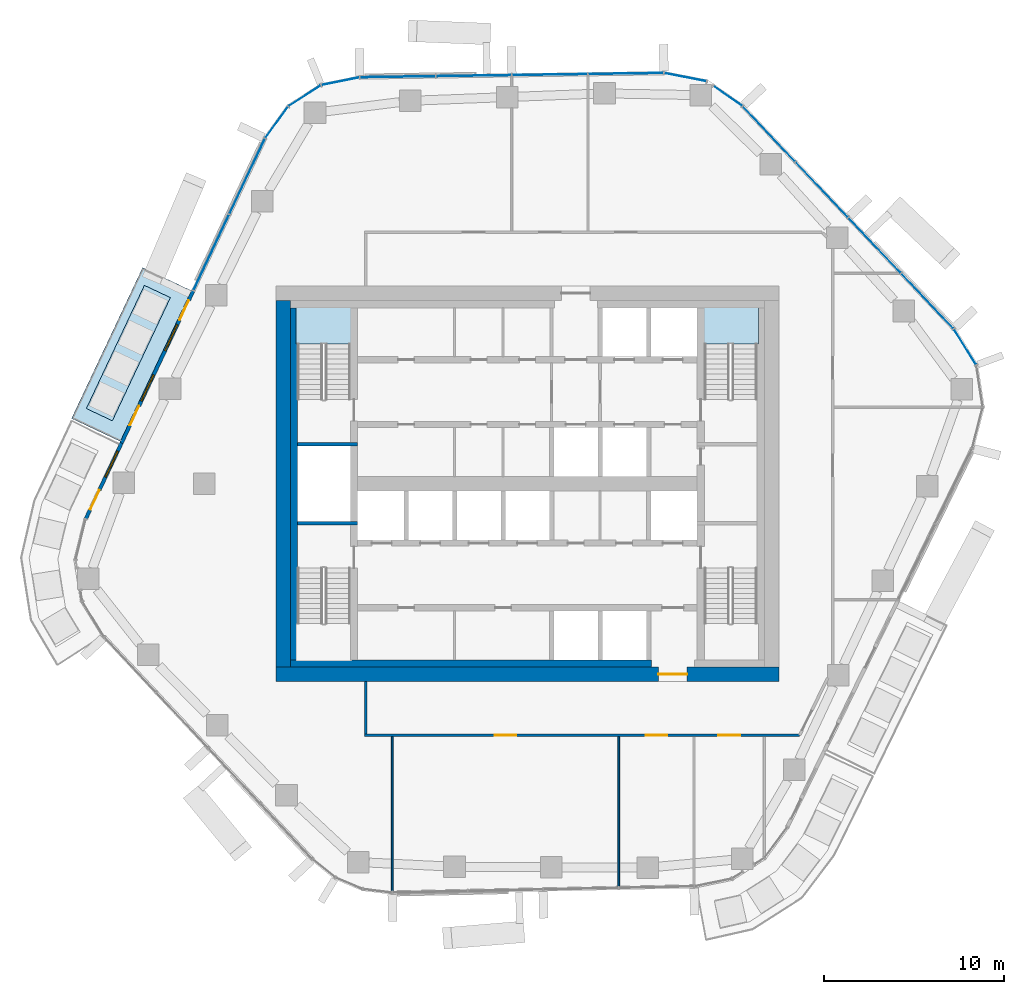
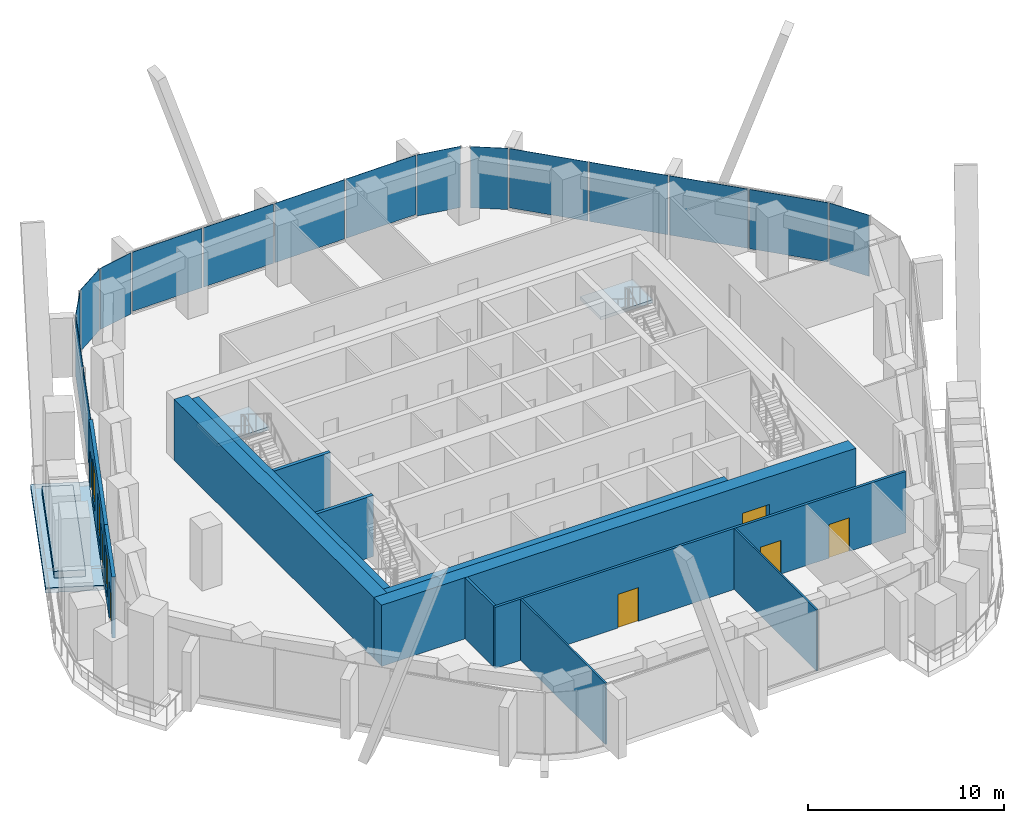
# One storey, part 10 of 18: 16 plates, 12 walls, 7 doors, 4 slabs, 3 windows, 10 openings, 9 elements without a shape of their own.
"""IFC4 building model written with IfcOpenShell, lengths in metres."""

import ifcopenshell
import ifcopenshell.guid

model = None  # the IFC model being written
_history = None  # IfcOwnerHistory: only IFC2X3 demands one
_inside = {}  # id of a spatial element -> (the spatial element, [elements in it])
_under = {}  # id of a project, library or spatial element -> (it, [spatial elements below it])
_declared = {}  # id of a project -> (the project, [libraries it declares])
_typed = {}  # id of a type object -> (the type object, [elements of that type])
_made_of = {}  # id of a material, layer set ... -> (it, [elements and type objects made of it])


def new_model(schema):
    """Start an empty IFC model of exactly this schema.

    Asked for "IFC4X3", IfcOpenShell would pick the latest addendum, in which some entities
    have other attributes; the version numbers below select the first issue.
    IFC2X3 requires an IfcOwnerHistory on every rooted entity: one is made here for all.
    """
    global model, _history
    if schema == "IFC4X3":
        model = ifcopenshell.file(schema_version=(4, 3, 0, 0))
    else:
        model = ifcopenshell.file(schema=schema)
    _inside.clear()
    _under.clear()
    _declared.clear()
    _typed.clear()
    _made_of.clear()
    _history = None
    if model.schema == "IFC2X3":
        org = make("IfcOrganization", Name="unknown")
        user = make(
            "IfcPersonAndOrganization",
            ThePerson=make("IfcPerson", FamilyName="unknown"),
            TheOrganization=org,
        )
        app = make(
            "IfcApplication",
            ApplicationDeveloper=org,
            Version="unknown",
            ApplicationFullName="unknown",
            ApplicationIdentifier="unknown",
        )
        _history = make(
            "IfcOwnerHistory",
            OwningUser=user,
            OwningApplication=app,
            ChangeAction="ADDED",
            CreationDate=0,
        )
    return model


def make(cls, **values):
    """One entity of the class cls with the attributes given. An attribute that is None is left unset."""
    return model.create_entity(
        cls, **{name: value for name, value in values.items() if value is not None}
    )


def rooted(cls, **values):
    """An entity with a GlobalId (a new one), such as an element, a storey or a relation."""
    return make(cls, GlobalId=ifcopenshell.guid.new(), OwnerHistory=_history, **values)


def si_unit(unit_type, name, prefix=None):
    """IfcSIUnit, for example si_unit("LENGTHUNIT", "METRE", prefix="MILLI")."""
    return make("IfcSIUnit", UnitType=unit_type, Prefix=prefix, Name=name)


def assignment(units):
    """IfcUnitAssignment: the units of a project."""
    return None if units is None else make("IfcUnitAssignment", Units=units)


def point(xyz):
    """IfcCartesianPoint."""
    return None if xyz is None else make("IfcCartesianPoint", Coordinates=xyz)


def direction(xyz):
    """IfcDirection."""
    return None if xyz is None else make("IfcDirection", DirectionRatios=xyz)


def frame(location, z_axis=None, x_axis=None):
    """IfcAxis2Placement3D, a coordinate frame: its origin and axes. An axis left out is left unset."""
    return make(
        "IfcAxis2Placement3D",
        Location=point(location),
        Axis=direction(z_axis),
        RefDirection=direction(x_axis),
    )


def frame_2d(location, x_axis=None):
    """IfcAxis2Placement2D, a coordinate frame in the plane: its origin and x axis."""
    return make(
        "IfcAxis2Placement2D", Location=point(location), RefDirection=direction(x_axis)
    )


def origin():
    """The frame at (0, 0, 0) with its axes left unset."""
    return frame((0.0, 0.0, 0.0))


def origin_2d():
    """The frame at (0, 0) in the plane with its x axis left unset."""
    return frame_2d((0.0, 0.0))


def place(relative_to, where):
    """IfcLocalPlacement: puts the frame where relative to a parent placement (None: the world)."""
    return make(
        "IfcLocalPlacement", PlacementRelTo=relative_to, RelativePlacement=where
    )


def context(
    kind, dimensions, precision=None, world=None, true_north=None, identifier=None
):
    """IfcGeometricRepresentationContext, for example the 3D "Model" context."""
    return make(
        "IfcGeometricRepresentationContext",
        ContextIdentifier=identifier,
        ContextType=kind,
        CoordinateSpaceDimension=dimensions,
        Precision=precision,
        WorldCoordinateSystem=world,
        TrueNorth=true_north,
    )


def subcontext(parent, identifier, kind, view, scale=None):
    """IfcGeometricRepresentationSubContext, for example "Body" below "Model"."""
    return make(
        "IfcGeometricRepresentationSubContext",
        ContextIdentifier=identifier,
        ContextType=kind,
        ParentContext=parent,
        TargetScale=scale,
        TargetView=view,
    )


def project(units=None, contexts=None):
    """IfcProject with its units and contexts."""
    return rooted(
        "IfcProject",
        Name="project",
        RepresentationContexts=contexts,
        UnitsInContext=assignment(units),
    )


def spatial(cls, under=None, at=None, **own):
    """A site, building, storey or space (cls), placed at a placement, below another one or the project."""
    s = rooted(cls, ObjectPlacement=at, **own)
    if under is not None:
        _under.setdefault(under.id(), (under, []))[1].append(s)
    return s


def polyline(points):
    """IfcPolyline through the points."""
    return make("IfcPolyline", Points=[point(p) for p in points])


def profile(cls, at=None, kind="AREA", **sizes):
    """A parametric profile (cls). Its sizes go by their IFC names, for example OverallWidth=200.0."""
    return make(cls, ProfileType=kind, Position=at, **sizes)


def rectangle(**sizes):
    """IfcRectangleProfileDef."""
    return profile("IfcRectangleProfileDef", **sizes)


def outline(outer, holes=None, kind="AREA"):
    """IfcArbitraryClosedProfileDef: a profile drawn as a closed curve; with holes, ...WithVoids."""
    if holes is None:
        return make("IfcArbitraryClosedProfileDef", ProfileType=kind, OuterCurve=outer)
    return make(
        "IfcArbitraryProfileDefWithVoids",
        ProfileType=kind,
        OuterCurve=outer,
        InnerCurves=holes,
    )


def extrude(swept, where, along, depth):
    """IfcExtrudedAreaSolid: the profile swept, set in the frame where, extruded along a direction by depth."""
    return make(
        "IfcExtrudedAreaSolid",
        SweptArea=swept,
        Position=where,
        ExtrudedDirection=direction(along),
        Depth=depth,
    )


def shape(context_of_items, identifier, shape_type, items):
    """IfcShapeRepresentation: the items that make up one representation, for example the "Body"."""
    return make(
        "IfcShapeRepresentation",
        ContextOfItems=context_of_items,
        RepresentationIdentifier=identifier,
        RepresentationType=shape_type,
        Items=items,
    )


def material(Name=None, Category=None):
    """IfcMaterial."""
    return make("IfcMaterial", Name=Name, Category=Category)


def layer(
    of_material, thickness, ventilated=None, Name=None, Category=None, Priority=None
):
    """IfcMaterialLayer: one layer of a wall or slab, of a material (None: an air gap)."""
    return make(
        "IfcMaterialLayer",
        Material=of_material,
        LayerThickness=thickness,
        IsVentilated=ventilated,
        Name=Name,
        Category=Category,
        Priority=Priority,
    )


def layer_set(layers, Name=None):
    """IfcMaterialLayerSet."""
    return make("IfcMaterialLayerSet", MaterialLayers=layers, LayerSetName=Name)


def made_of(thing, what):
    """Note that an element or type object is made of a material, layer set ...; save() writes the relation."""
    if what is not None:
        _made_of.setdefault(what.id(), (what, []))[1].append(thing)
    return thing


def type_object(cls, material=None, **own):
    """A type object (cls), such as IfcWallType, which elements share."""
    return made_of(rooted(cls, **own), material)


def element(
    cls,
    number,
    at=None,
    inside=None,
    cuts=None,
    type_object=None,
    material=None,
    context=None,
    identifier="Body",
    shape_type=None,
    held_by="IfcProductDefinitionShape",
    body=None,
    shapes=None,
    **own,
):
    """One element of the class cls, such as IfcWall. Its Tag is "e" and its number.

    at: its placement. inside: the storey or other place that contains it. cuts: it is an
    opening in that element (IfcRelVoidsElement). A single representation is given by context,
    identifier, shape_type and body (its items); several are given by shapes. held_by: the class
    of the entity that holds the representations. save() writes the other relations.
    """
    e = rooted(cls, Tag="e%d" % number, ObjectPlacement=at, **own)
    if body is not None:
        shapes = [shape(context, identifier, shape_type, body)]
    if shapes is not None:
        e.Representation = make(held_by, Representations=shapes)
    if inside is not None:
        _inside.setdefault(inside.id(), (inside, []))[1].append(e)
    if cuts is not None:
        rooted(
            "IfcRelVoidsElement", RelatingBuildingElement=cuts, RelatedOpeningElement=e
        )
    if type_object is not None:
        _typed.setdefault(type_object.id(), (type_object, []))[1].append(e)
    return made_of(e, material)


def fill(opening, filler):
    """IfcRelFillsElement: the door or window that sits in an opening."""
    return rooted(
        "IfcRelFillsElement",
        RelatingOpeningElement=opening,
        RelatedBuildingElement=filler,
    )


def aggregate(whole, parts):
    """IfcRelAggregates: a whole, such as a stair, and the parts it consists of."""
    return rooted("IfcRelAggregates", RelatingObject=whole, RelatedObjects=parts)


def save(model, path):
    """Write the relations noted so far, then the file.

    IfcRelAggregates (storeys below a building ...), IfcRelContainedInSpatialStructure (elements
    in a storey), IfcRelDefinesByType, IfcRelAssociatesMaterial and IfcRelDeclares: one each for
    every whole, place, type object, material and project.
    """
    for whole, parts in _under.values():
        aggregate(whole, parts)
    for where, things in _inside.values():
        rooted(
            "IfcRelContainedInSpatialStructure",
            RelatedElements=things,
            RelatingStructure=where,
        )
    for kind, things in _typed.values():
        rooted("IfcRelDefinesByType", RelatedObjects=things, RelatingType=kind)
    for what, things in _made_of.values():
        rooted("IfcRelAssociatesMaterial", RelatedObjects=things, RelatingMaterial=what)
    for by, libraries in _declared.values():
        rooted("IfcRelDeclares", RelatingContext=by, RelatedDefinitions=libraries)
    model.write(path)


model = new_model("IFC4")

# Units and contexts
model_context = context("Model", 3, precision=1e-05, world=origin(), true_north=direction((0.0, 1.0)))
body_context = subcontext(model_context, "Body", "Model", "MODEL_VIEW")
ifc_project = project(units=[si_unit("LENGTHUNIT", "METRE"), si_unit("AREAUNIT", "SQUARE_METRE"), si_unit("VOLUMEUNIT", "CUBIC_METRE"), si_unit("PLANEANGLEUNIT", "RADIAN"), si_unit("MASSUNIT", "GRAM", prefix="KILO")], contexts=[model_context])

# Site, building, storey
site_placement = place(None, origin())
site = spatial("IfcSite", under=ifc_project, at=site_placement, CompositionType="ELEMENT")
building_placement = place(site_placement, origin())
building = spatial("IfcBuilding", under=site, at=building_placement, Name="Dongbaek Canopy Tower", CompositionType="ELEMENT")
storey_placement = place(building_placement, frame((0.0, 0.0, 167.0)))
storey = spatial("IfcBuildingStorey", under=building, at=storey_placement, Name="L36", CompositionType="ELEMENT", Elevation=167.0)

# Slab
ifc_material_1 = material(Name="Concrete C40/50", Category="concrete")
ifc_layer_1 = layer(ifc_material_1, 0.300048828125)
ifc_layer_set_1 = layer_set([ifc_layer_1], Name="Balcony slab 300")
slab_type_1 = type_object("IfcSlabType", Name="Balcony slab 300", PredefinedType="FLOOR", material=ifc_layer_set_1)
slab_1_placement = place(storey_placement, frame((0.0, 0.0, -0.300048828125)))
element("IfcSlab", 1, at=slab_1_placement, inside=storey, type_object=slab_type_1, Name="Balcony L36 1", PredefinedType="FLOOR", context=body_context, shape_type="SweptSolid", body=[
    extrude(outline(polyline([(-18.70703125, 10.754638671875), (-22.66259765625, 2.359130859375), (-25.37646484375, 3.6376953125), (-21.4208984375, 12.033203125), (-18.70703125, 10.754638671875)])), origin(), (0.0, 0.0, 1.0), 0.300048828125),
])

# Curtain wall, plate
ifc_material_2 = material(Name="Aluminium 6063-T6 pale anodised", Category="aluminium")
ifc_layer_2 = layer(ifc_material_2, 0.199951171875)
ifc_layer_set_2 = layer_set([ifc_layer_2], Name="CW-1 unitised tower curtain wall")
curtain_wall_type = type_object("IfcCurtainWallType", Name="CW-1 unitised tower curtain wall", PredefinedType="NOTDEFINED", material=ifc_layer_set_2)
curtain_wall_1_placement = place(storey_placement, origin())
curtain_wall_1 = element("IfcCurtainWall", 2, at=curtain_wall_1_placement, inside=storey, type_object=curtain_wall_type, Name="CW-1 curtain wall K0.1", PredefinedType="NOTDEFINED")
ifc_material_3 = material(Name="Clear laminated glass", Category="glass")
ifc_layer_3 = layer(ifc_material_3, 0.028076171875)
ifc_layer_set_3 = layer_set([ifc_layer_3], Name="CW-1 glazed panel 28")
plate_type = type_object("IfcPlateType", Name="CW-1 glazed panel 28", PredefinedType="CURTAIN_PANEL", material=ifc_layer_set_3)
plate_1_placement = place(storey_placement, frame((24.366455078125, 7.6201171875, 0.0), z_axis=(0.0, 0.0, 1.0), x_axis=(-0.528334947063, 0.849036032046, 0.0)))
plate_1 = element("IfcPlate", 3, at=plate_1_placement, type_object=plate_type, Name="CW-1 panel K0.1.3.1", PredefinedType="CURTAIN_PANEL", context=body_context, shape_type="SweptSolid", body=[
    extrude(rectangle(XDim=2.294677734375, YDim=0.028076171875, at=origin_2d()), origin(), (0.0, 0.0, 1.0), 3.820068359375),
])
aggregate(curtain_wall_1, [plate_1])

# Curtain wall, plates
curtain_wall_2_placement = place(storey_placement, origin())
curtain_wall_2 = element("IfcCurtainWall", 4, at=curtain_wall_2_placement, inside=storey, type_object=curtain_wall_type, Name="CW-1 curtain wall F0.1", PredefinedType="NOTDEFINED")
plate_2_placement = place(storey_placement, frame((22.27099609375, 10.17724609375, 0.1201171875), z_axis=(0.0, 0.0, 1.0), x_axis=(-0.688042693519, 0.725670208769, 0.0)))
plate_2 = element("IfcPlate", 5, at=plate_2_placement, type_object=plate_type, Name="CW-1 panel F0.1.1.1", PredefinedType="CURTAIN_PANEL", context=body_context, shape_type="SweptSolid", body=[
    extrude(rectangle(XDim=4.180419921875, YDim=0.028076171875, at=origin_2d()), origin(), (0.0, 0.0, 1.0), 3.699951171875),
])
plate_3_placement = place(storey_placement, frame((19.33349609375, 13.275390625, 0.1201171875), z_axis=(0.0, 0.0, 1.0), x_axis=(-0.688042693519, 0.725670208769, 0.0)))
plate_3 = element("IfcPlate", 6, at=plate_3_placement, type_object=plate_type, Name="CW-1 panel F0.1.2.1", PredefinedType="CURTAIN_PANEL", context=body_context, shape_type="SweptSolid", body=[
    extrude(rectangle(XDim=4.1904296875, YDim=0.028076171875, at=origin_2d()), origin(), (0.0, 0.0, 1.0), 3.699951171875),
])
plate_4_placement = place(storey_placement, frame((16.392333984375, 16.37744140625, 0.1201171875), z_axis=(0.0, 0.0, 1.0), x_axis=(-0.688042693519, 0.725670208769, 0.0)))
plate_4 = element("IfcPlate", 7, at=plate_4_placement, type_object=plate_type, Name="CW-1 panel F0.1.3.1", PredefinedType="CURTAIN_PANEL", context=body_context, shape_type="SweptSolid", body=[
    extrude(rectangle(XDim=4.1904296875, YDim=0.028076171875, at=origin_2d()), origin(), (0.0, 0.0, 1.0), 3.699951171875),
])
plate_5_placement = place(storey_placement, frame((13.454833984375, 19.475341796875, 0.1201171875), z_axis=(0.0, 0.0, 1.0), x_axis=(-0.688042693519, 0.725670208769, 0.0)))
plate_5 = element("IfcPlate", 8, at=plate_5_placement, type_object=plate_type, Name="CW-1 panel F0.1.4.1", PredefinedType="CURTAIN_PANEL", context=body_context, shape_type="SweptSolid", body=[
    extrude(rectangle(XDim=4.18017578125, YDim=0.028076171875, at=origin_2d()), origin(), (0.0, 0.0, 1.0), 3.699951171875),
])
aggregate(curtain_wall_2, [plate_2, plate_3, plate_4, plate_5])

# Curtain wall, plate
curtain_wall_3_placement = place(storey_placement, origin())
curtain_wall_3 = element("IfcCurtainWall", 9, at=curtain_wall_3_placement, inside=storey, type_object=curtain_wall_type, Name="CW-1 curtain wall K1.1a", PredefinedType="NOTDEFINED")
plate_6_placement = place(storey_placement, frame((11.1640625, 21.593017578125, 0.0), z_axis=(0.0, 0.0, 1.0), x_axis=(-0.822253738836, 0.569121067059, 0.0)))
plate_6 = element("IfcPlate", 10, at=plate_6_placement, type_object=plate_type, Name="CW-1 panel K1.1a.1.1", PredefinedType="CURTAIN_PANEL", context=body_context, shape_type="SweptSolid", body=[
    extrude(rectangle(XDim=1.920166015625, YDim=0.028076171875, at=origin_2d()), origin(), (0.0, 0.0, 1.0), 3.820068359375),
])
aggregate(curtain_wall_3, [plate_6])

curtain_wall_4_placement = place(storey_placement, origin())
curtain_wall_4 = element("IfcCurtainWall", 11, at=curtain_wall_4_placement, inside=storey, type_object=curtain_wall_type, Name="CW-1 curtain wall K1.1b", PredefinedType="NOTDEFINED")
plate_7_placement = place(storey_placement, frame((8.79736328125, 22.6376953125, 0.0), z_axis=(0.0, 0.0, 1.0), x_axis=(-0.981568479338, 0.1911107542, 0.0)))
plate_7 = element("IfcPlate", 12, at=plate_7_placement, type_object=plate_type, Name="CW-1 panel K1.1b.1.1", PredefinedType="CURTAIN_PANEL", context=body_context, shape_type="SweptSolid", body=[
    extrude(rectangle(XDim=2.345947265625, YDim=0.028076171875, at=origin_2d()), origin(), (0.0, 0.0, 1.0), 3.820068359375),
])
aggregate(curtain_wall_4, [plate_7])

# Curtain wall, plates
curtain_wall_5_placement = place(storey_placement, origin())
curtain_wall_5 = element("IfcCurtainWall", 13, at=curtain_wall_5_placement, inside=storey, type_object=curtain_wall_type, Name="CW-1 curtain wall F1.1", PredefinedType="NOTDEFINED")
plate_8_placement = place(storey_placement, frame((5.489990234375, 22.83984375, 0.1201171875), z_axis=(0.0, 0.0, 1.0), x_axis=(-0.999898073754, -0.014277328293, 0.0)))
plate_8 = element("IfcPlate", 14, at=plate_8_placement, type_object=plate_type, Name="CW-1 panel F1.1.1.1", PredefinedType="CURTAIN_PANEL", context=body_context, shape_type="SweptSolid", body=[
    extrude(rectangle(XDim=4.14599609375, YDim=0.028076171875, at=origin_2d()), origin(), (0.0, 0.0, 1.0), 3.699951171875),
])
plate_9_placement = place(storey_placement, frame((1.25537109375, 22.779296875, 0.1201171875), z_axis=(0.0, 0.0, 1.0), x_axis=(-0.999898073754, -0.014277328293, 0.0)))
plate_9 = element("IfcPlate", 15, at=plate_9_placement, type_object=plate_type, Name="CW-1 panel F1.1.2.1", PredefinedType="CURTAIN_PANEL", context=body_context, shape_type="SweptSolid", body=[
    extrude(rectangle(XDim=4.15625, YDim=0.028076171875, at=origin_2d()), origin(), (0.0, 0.0, 1.0), 3.699951171875),
])
plate_10_placement = place(storey_placement, frame((-2.984375, 22.71875, 0.1201171875), z_axis=(0.0, 0.0, 1.0), x_axis=(-0.999898073754, -0.014277328293, 0.0)))
plate_10 = element("IfcPlate", 16, at=plate_10_placement, type_object=plate_type, Name="CW-1 panel F1.1.3.1", PredefinedType="CURTAIN_PANEL", context=body_context, shape_type="SweptSolid", body=[
    extrude(rectangle(XDim=4.15625, YDim=0.028076171875, at=origin_2d()), origin(), (0.0, 0.0, 1.0), 3.699951171875),
])
plate_11_placement = place(storey_placement, frame((-7.219482421875, 22.658203125, 0.1201171875), z_axis=(0.0, 0.0, 1.0), x_axis=(-0.999898073754, -0.014277328293, 0.0)))
plate_11 = element("IfcPlate", 17, at=plate_11_placement, type_object=plate_type, Name="CW-1 panel F1.1.4.1", PredefinedType="CURTAIN_PANEL", context=body_context, shape_type="SweptSolid", body=[
    extrude(rectangle(XDim=4.14697265625, YDim=0.028076171875, at=origin_2d()), origin(), (0.0, 0.0, 1.0), 3.699951171875),
])
aggregate(curtain_wall_5, [plate_8, plate_9, plate_10, plate_11])

curtain_wall_6_placement = place(storey_placement, origin())
curtain_wall_6 = element("IfcCurtainWall", 18, at=curtain_wall_6_placement, inside=storey, type_object=curtain_wall_type, Name="CW-1 curtain wall K2.1", PredefinedType="NOTDEFINED")
plate_12_placement = place(storey_placement, frame((-10.40869140625, 22.41015625, 0.0), z_axis=(0.0, 0.0, 1.0), x_axis=(-0.980003955076, -0.198978008926, 0.0)))
plate_12 = element("IfcPlate", 19, at=plate_12_placement, type_object=plate_type, Name="CW-1 panel K2.1.1.1", PredefinedType="CURTAIN_PANEL", context=body_context, shape_type="SweptSolid", body=[
    extrude(rectangle(XDim=2.107421875, YDim=0.028076171875, at=origin_2d()), origin(), (0.0, 0.0, 1.0), 3.820068359375),
])
plate_13_placement = place(storey_placement, frame((-12.3994140625, 21.60107421875, 0.0), z_axis=(0.0, 0.0, 1.0), x_axis=(-0.840609245459, -0.541642037188, 0.0)))
plate_13 = element("IfcPlate", 20, at=plate_13_placement, type_object=plate_type, Name="CW-1 panel K2.1.2.1", PredefinedType="CURTAIN_PANEL", context=body_context, shape_type="SweptSolid", body=[
    extrude(rectangle(XDim=2.097900390625, YDim=0.028076171875, at=origin_2d()), origin(), (0.0, 0.0, 1.0), 3.820068359375),
])
plate_14_placement = place(storey_placement, frame((-13.958984375, 20.12255859375, 0.0), z_axis=(0.0, 0.0, 1.0), x_axis=(-0.586177562972, -0.810182611927, 0.0)))
plate_14 = element("IfcPlate", 21, at=plate_14_placement, type_object=plate_type, Name="CW-1 panel K2.1.3.1", PredefinedType="CURTAIN_PANEL", context=body_context, shape_type="SweptSolid", body=[
    extrude(rectangle(XDim=2.107421875, YDim=0.028076171875, at=origin_2d()), origin(), (0.0, 0.0, 1.0), 3.820068359375),
])
aggregate(curtain_wall_6, [plate_12, plate_13, plate_14])

curtain_wall_7_placement = place(storey_placement, origin())
curtain_wall_7 = element("IfcCurtainWall", 22, at=curtain_wall_7_placement, inside=storey, type_object=curtain_wall_type, Name="CW-1 curtain wall F2.1", PredefinedType="NOTDEFINED")
plate_15_placement = place(storey_placement, frame((-15.5986328125, 17.117431640625, 0.1201171875), z_axis=(0.0, 0.0, 1.0), x_axis=(-0.426206887126, -0.904625717834, 0.0)))
plate_15 = element("IfcPlate", 23, at=plate_15_placement, type_object=plate_type, Name="CW-1 panel F2.1.1.1", PredefinedType="CURTAIN_PANEL", context=body_context, shape_type="SweptSolid", body=[
    extrude(rectangle(XDim=4.596923828125, YDim=0.028076171875, at=origin_2d()), origin(), (0.0, 0.0, 1.0), 3.699951171875),
])
plate_16_placement = place(storey_placement, frame((-17.595703125, 12.878662109375, 0.1201171875), z_axis=(0.0, 0.0, 1.0), x_axis=(-0.426206887126, -0.904625717834, 0.0)))
plate_16 = element("IfcPlate", 24, at=plate_16_placement, type_object=plate_type, Name="CW-1 panel F2.1.2.1", PredefinedType="CURTAIN_PANEL", context=body_context, shape_type="SweptSolid", body=[
    extrude(rectangle(XDim=4.606201171875, YDim=0.028076171875, at=origin_2d()), origin(), (0.0, 0.0, 1.0), 3.699951171875),
])
aggregate(curtain_wall_7, [plate_15, plate_16])

# Stair, slab
ifc_material_4 = material(Name="Concrete C40/50", Category="concrete")
stair_type = type_object("IfcStairType", Name="Core exit stair", PredefinedType="HALF_TURN_STAIR", material=ifc_material_4)
stair_1_placement = place(storey_placement, origin())
stair_1 = element("IfcStair", 25, at=stair_1_placement, inside=storey, type_object=stair_type, Name="L36 exit stair A", PredefinedType="HALF_TURN_STAIR")
ifc_material_5 = material(Name="Concrete C40/50", Category="concrete")
ifc_layer_4 = layer(ifc_material_5, 0.199951171875)
ifc_layer_set_4 = layer_set([ifc_layer_4], Name="Core stair landing 200")
slab_type_2 = type_object("IfcSlabType", Name="Core stair landing 200", PredefinedType="LANDING", material=ifc_layer_set_4)
slab_2_placement = place(storey_placement, frame((0.0, 0.0, 1.89990234375)))
slab_2 = element("IfcSlab", 26, at=slab_2_placement, type_object=slab_type_2, Name="ST-A landing 1", PredefinedType="LANDING", context=body_context, shape_type="SweptSolid", body=[
    extrude(outline(polyline([(12.875, 7.780029296875), (12.875, 9.875), (9.77490234375, 9.875), (9.77490234375, 7.780029296875), (12.875, 7.780029296875)])), origin(), (0.0, 0.0, 1.0), 0.2001953125),
])
aggregate(stair_1, [slab_2])

stair_2_placement = place(storey_placement, origin())
stair_2 = element("IfcStair", 27, at=stair_2_placement, inside=storey, type_object=stair_type, Name="L36 exit stair C", PredefinedType="HALF_TURN_STAIR")
slab_3_placement = place(storey_placement, frame((0.0, 0.0, 1.89990234375)))
slab_3 = element("IfcSlab", 28, at=slab_3_placement, type_object=slab_type_2, Name="ST-C landing 1", PredefinedType="LANDING", context=body_context, shape_type="SweptSolid", body=[
    extrude(outline(polyline([(-9.77490234375, 7.780029296875), (-9.77490234375, 9.875), (-12.875, 9.875), (-12.875, 7.780029296875), (-9.77490234375, 7.780029296875)])), origin(), (0.0, 0.0, 1.0), 0.2001953125),
])
aggregate(stair_2, [slab_3])

# Slab
ifc_material_6 = material(Name="Reinforced concrete C40/50 planter box with soil", Category="concrete")
ifc_layer_5 = layer(ifc_material_6, 0.419921875)
ifc_layer_set_5 = layer_set([ifc_layer_5], Name="Terrace planter box 1600 x 420")
slab_type_3 = type_object("IfcSlabType", Name="Terrace planter box 1600 x 420", PredefinedType="USERDEFINED", material=ifc_layer_set_5)
slab_4_placement = place(storey_placement, origin())
element("IfcSlab", 29, at=slab_4_placement, inside=storey, type_object=slab_type_3, Name="Balcony planter L36 1", ObjectType="PLANTER", PredefinedType="USERDEFINED", context=body_context, shape_type="SweptSolid", body=[
    extrude(outline(polyline([(-19.87451171875, 10.364990234375), (-23.105224609375, 3.50732421875), (-24.552734375, 4.189208984375), (-21.32177734375, 11.046875), (-19.87451171875, 10.364990234375)])), origin(), (0.0, 0.0, 1.0), 0.419921875),
])

# Wall, opening, door
ifc_material_7 = material(Name="Concrete C70/85", Category="concrete")
ifc_layer_6 = layer(ifc_material_7, 0.800048828125)
ifc_layer_set_6 = layer_set([ifc_layer_6], Name="Core outer wall 800 Concrete C70/85")
wall_type_1 = type_object("IfcWallType", Name="Core outer wall 800 Concrete C70/85", PredefinedType="SHEAR", material=ifc_layer_set_6)
wall_1_placement = place(storey_placement, frame((14.0, -10.60009765625, 0.0), z_axis=(0.0, 0.0, 1.0), x_axis=(-1.0, 0.0, 0.0)))
wall_1 = element("IfcWall", 30, at=wall_1_placement, inside=storey, type_object=wall_type_1, Name="Core wall", PredefinedType="SHEAR", context=body_context, shape_type="SweptSolid", body=[
    extrude(rectangle(XDim=28.0, YDim=0.800048828125, at=frame_2d((14.0, 0.0))), origin(), (0.0, 0.0, 1.0), 3.820068359375),
])
opening_1_placement = place(wall_1_placement, frame((5.10009765625, 0.0, 0.0)))
opening_1 = element("IfcOpeningElement", 31, at=opening_1_placement, cuts=wall_1, Name="Opening L36-D023", PredefinedType="OPENING", context=body_context, shape_type="SweptSolid", body=[
    extrude(rectangle(XDim=1.60009765625, YDim=2.10009765625, at=frame_2d((0.800048828125, 1.050048828125))), frame((0.0, 0.409912109375, 0.0), z_axis=(0.0, -1.0, 0.0), x_axis=(1.0, 0.0, 0.0)), (0.0, 0.0, 1.0), 0.820068359375),
])
ifc_material_8 = material(Name="Steel", Category="steel")
door_type_1 = type_object("IfcDoorType", Name="Core exit door 1600 x 2100", OperationType="DOUBLE_DOOR_SINGLE_SWING", PredefinedType="DOOR", material=ifc_material_8)
door_1_placement = place(opening_1_placement, origin())
door_1 = element("IfcDoor", 32, at=door_1_placement, inside=storey, type_object=door_type_1, Name="Core exit door", OperationType="DOUBLE_DOOR_SINGLE_SWING", OverallHeight=2.10009765625, OverallWidth=1.60009765625, PredefinedType="DOOR", context=body_context, shape_type="SweptSolid", body=[
    extrude(rectangle(XDim=1.60009765625, YDim=2.10009765625, at=frame_2d((0.800048828125, 1.050048828125))), frame((0.0, 0.02490234375, 0.0), z_axis=(0.0, -1.0, 0.0), x_axis=(1.0, 0.0, 0.0)), (0.0, 0.0, 1.0), 0.050048828125),
])
fill(opening_1, door_1)

# Walls
wall_2_placement = place(storey_placement, frame((-13.60009765625, -10.199951171875, 0.0), z_axis=(0.0, 0.0, 1.0), x_axis=(0.0, 1.0, 0.0)))
element("IfcWall", 33, at=wall_2_placement, inside=storey, type_object=wall_type_1, Name="Core wall", PredefinedType="SHEAR", context=body_context, shape_type="SweptSolid", body=[
    extrude(rectangle(XDim=20.39990234375, YDim=0.800048828125, at=frame_2d((10.199951171875, 0.0))), origin(), (0.0, 0.0, 1.0), 3.820068359375),
])
ifc_material_9 = material(Name="Concrete C60/75", Category="concrete")
ifc_layer_7 = layer(ifc_material_9, 0.39990234375)
ifc_layer_set_7 = layer_set([ifc_layer_7], Name="Core wall lining 400 Concrete C60/75")
wall_type_2 = type_object("IfcWallType", Name="Core wall lining 400 Concrete C60/75", PredefinedType="SHEAR", material=ifc_layer_set_7)
wall_3_placement = place(storey_placement, frame((6.89990234375, -10.0, 0.0), z_axis=(0.0, 0.0, 1.0), x_axis=(-1.0, 0.0, 0.0)))
element("IfcWall", 34, at=wall_3_placement, inside=storey, type_object=wall_type_2, Name="Core wall lining", PredefinedType="SHEAR", context=body_context, shape_type="SweptSolid", body=[
    extrude(rectangle(XDim=20.099853515625, YDim=0.39990234375, at=frame_2d((10.0498046875, 0.0))), origin(), (0.0, 0.0, 1.0), 3.820068359375),
])
wall_4_placement = place(storey_placement, frame((-13.0, -9.800048828125, 0.0), z_axis=(0.0, 0.0, 1.0), x_axis=(0.0, 1.0, 0.0)))
element("IfcWall", 35, at=wall_4_placement, inside=storey, type_object=wall_type_2, Name="Core wall lining", PredefinedType="SHEAR", context=body_context, shape_type="SweptSolid", body=[
    extrude(rectangle(XDim=19.60009765625, YDim=0.39990234375, at=frame_2d((9.800048828125, 0.0))), origin(), (0.0, 0.0, 1.0), 3.820068359375),
])

# Wall, openings, doors
ifc_material_10 = material(Name="Gypsum board partition, steel stud, 2 x 15 mm fire board", Category="steel")
ifc_layer_8 = layer(ifc_material_10, 0.14990234375)
ifc_layer_set_8 = layer_set([ifc_layer_8], Name="Fire-rated partition 150 gypsum board")
wall_type_3 = type_object("IfcWallType", Name="Fire-rated partition 150 gypsum board", PredefinedType="PARTITIONING", material=ifc_layer_set_8)
wall_5_placement = place(storey_placement, frame((15.164794921875, -14.0, 0.0), z_axis=(0.0, 0.0, 1.0), x_axis=(-1.0, 0.0, 0.0)))
wall_5 = element("IfcWall", 36, at=wall_5_placement, inside=storey, type_object=wall_type_3, Name="Corridor partition", PredefinedType="PARTITIONING", context=body_context, shape_type="SweptSolid", body=[
    extrude(rectangle(XDim=24.23974609375, YDim=0.14990234375, at=frame_2d((12.119873046875, 0.0))), origin(), (0.0, 0.0, 1.0), 3.820068359375),
])
opening_2_placement = place(wall_5_placement, frame((15.7880859375, 0.0, 0.0)))
opening_2 = element("IfcOpeningElement", 37, at=opening_2_placement, cuts=wall_5, Name="Opening L36-D001", PredefinedType="OPENING", context=body_context, shape_type="SweptSolid", body=[
    extrude(rectangle(XDim=1.199951171875, YDim=2.10009765625, at=frame_2d((0.60009765625, 1.050048828125))), frame((0.0, 0.0849609375, 0.0), z_axis=(0.0, -1.0, 0.0), x_axis=(1.0, 0.0, 0.0)), (0.0, 0.0, 1.0), 0.169921875),
])
opening_3_placement = place(wall_5_placement, frame((7.37939453125, 0.0, 0.0)))
opening_3 = element("IfcOpeningElement", 38, at=opening_3_placement, cuts=wall_5, Name="Opening L36-D002", PredefinedType="OPENING", context=body_context, shape_type="SweptSolid", body=[
    extrude(rectangle(XDim=1.199951171875, YDim=2.10009765625, at=frame_2d((0.60009765625, 1.050048828125))), frame((0.0, 0.0849609375, 0.0), z_axis=(0.0, -1.0, 0.0), x_axis=(1.0, 0.0, 0.0)), (0.0, 0.0, 1.0), 0.169921875),
])
opening_4_placement = place(wall_5_placement, frame((3.323486328125, 0.0, 0.0)))
opening_4 = element("IfcOpeningElement", 39, at=opening_4_placement, cuts=wall_5, Name="Opening L36-D003", PredefinedType="OPENING", context=body_context, shape_type="SweptSolid", body=[
    extrude(rectangle(XDim=1.199951171875, YDim=2.10009765625, at=frame_2d((0.60009765625, 1.050048828125))), frame((0.0, 0.0849609375, 0.0), z_axis=(0.0, -1.0, 0.0), x_axis=(1.0, 0.0, 0.0)), (0.0, 0.0, 1.0), 0.169921875),
])
ifc_material_11 = material(Name="Timber veneered door leaf", Category="wood")
door_type_2 = type_object("IfcDoorType", Name="Room door 1200 x 2100", OperationType="SINGLE_SWING_LEFT", PredefinedType="DOOR", material=ifc_material_11)
door_2_placement = place(opening_2_placement, origin())
door_2 = element("IfcDoor", 40, at=door_2_placement, inside=storey, type_object=door_type_2, Name="Door L36-D001", OperationType="SINGLE_SWING_RIGHT", OverallHeight=2.10009765625, OverallWidth=1.199951171875, PredefinedType="DOOR", context=body_context, shape_type="SweptSolid", body=[
    extrude(rectangle(XDim=1.199951171875, YDim=2.10009765625, at=frame_2d((0.60009765625, 1.050048828125))), frame((0.0, 0.02490234375, 0.0), z_axis=(0.0, -1.0, 0.0), x_axis=(1.0, 0.0, 0.0)), (0.0, 0.0, 1.0), 0.050048828125),
])
fill(opening_2, door_2)
door_3_placement = place(opening_3_placement, origin())
door_3 = element("IfcDoor", 41, at=door_3_placement, inside=storey, type_object=door_type_2, Name="Door L36-D002", OperationType="SINGLE_SWING_LEFT", OverallHeight=2.10009765625, OverallWidth=1.199951171875, PredefinedType="DOOR", context=body_context, shape_type="SweptSolid", body=[
    extrude(rectangle(XDim=1.199951171875, YDim=2.10009765625, at=frame_2d((0.60009765625, 1.050048828125))), frame((0.0, 0.02490234375, 0.0), z_axis=(0.0, -1.0, 0.0), x_axis=(1.0, 0.0, 0.0)), (0.0, 0.0, 1.0), 0.050048828125),
])
fill(opening_3, door_3)
door_4_placement = place(opening_4_placement, origin())
door_4 = element("IfcDoor", 42, at=door_4_placement, inside=storey, type_object=door_type_2, Name="Door L36-D003", OperationType="SINGLE_SWING_RIGHT", OverallHeight=2.10009765625, OverallWidth=1.199951171875, PredefinedType="DOOR", context=body_context, shape_type="SweptSolid", body=[
    extrude(rectangle(XDim=1.199951171875, YDim=2.10009765625, at=frame_2d((0.60009765625, 1.050048828125))), frame((0.0, 0.02490234375, 0.0), z_axis=(0.0, -1.0, 0.0), x_axis=(1.0, 0.0, 0.0)), (0.0, 0.0, 1.0), 0.050048828125),
])
fill(opening_4, door_4)

# Walls
wall_6_placement = place(storey_placement, frame((-9.0, -13.925048828125, 0.0), z_axis=(0.0, 0.0, 1.0), x_axis=(0.0, 1.0, 0.0)))
element("IfcWall", 43, at=wall_6_placement, inside=storey, type_object=wall_type_3, Name="Corridor partition", PredefinedType="PARTITIONING", context=body_context, shape_type="SweptSolid", body=[
    extrude(rectangle(XDim=2.925048828125, YDim=0.14990234375, at=frame_2d((1.46240234375, 0.0))), origin(), (0.0, 0.0, 1.0), 3.820068359375),
])
ifc_material_12 = material(Name="Gypsum board partition, steel stud, 2 x 12.5 mm board", Category="steel")
ifc_layer_9 = layer(ifc_material_12, 0.10009765625)
ifc_layer_set_9 = layer_set([ifc_layer_9], Name="Partition 100 gypsum board")
wall_type_4 = type_object("IfcWallType", Name="Partition 100 gypsum board", PredefinedType="PARTITIONING", material=ifc_layer_set_9)
wall_7_placement = place(storey_placement, frame((5.0869140625, -22.484619140625, 0.0), z_axis=(0.0, 0.0, 1.0), x_axis=(0.0, 1.0, 0.0)))
element("IfcWall", 44, at=wall_7_placement, inside=storey, type_object=wall_type_4, Name="Partition", PredefinedType="PARTITIONING", context=body_context, shape_type="SweptSolid", body=[
    extrude(rectangle(XDim=8.40966796875, YDim=0.10009765625, at=frame_2d((4.204833984375, 0.0))), origin(), (0.0, 0.0, 1.0), 3.820068359375),
])
wall_8_placement = place(storey_placement, frame((-7.52587890625, -22.7431640625, 0.0), z_axis=(0.0, 0.0, 1.0), x_axis=(0.0, 1.0, 0.0)))
element("IfcWall", 45, at=wall_8_placement, inside=storey, type_object=wall_type_4, Name="Partition", PredefinedType="PARTITIONING", context=body_context, shape_type="SweptSolid", body=[
    extrude(rectangle(XDim=8.668212890625, YDim=0.10009765625, at=frame_2d((4.333984375, 0.0))), origin(), (0.0, 0.0, 1.0), 3.820068359375),
])
ifc_material_13 = material(Name="Concrete C60/75", Category="concrete")
ifc_layer_10 = layer(ifc_material_13, 0.199951171875)
ifc_layer_set_10 = layer_set([ifc_layer_10], Name="Riser wall 200 Concrete C60/75")
wall_type_5 = type_object("IfcWallType", Name="Riser wall 200 Concrete C60/75", PredefinedType="SHEAR", material=ifc_layer_set_10)
for number, where, z_axis, x_axis, name in (
    (46, (-9.449951171875, 2.199951171875, 0.0), (0.0, 0.0, 1.0), (-1.0, 0.0, 0.0), "Riser wall"),
    (47, (-9.449951171875, -2.199951171875, 0.0), (0.0, 0.0, 1.0), (-1.0, 0.0, 0.0), "Riser wall"),
):
    element("IfcWall", number, at=place(storey_placement, frame(where, z_axis=z_axis, x_axis=x_axis)), inside=storey, type_object=wall_type_5, Name=name, PredefinedType="SHEAR", context=body_context, shape_type="SweptSolid", body=[
        extrude(rectangle(XDim=3.35009765625, YDim=0.199951171875, at=frame_2d((1.675048828125, 0.0))), origin(), (0.0, 0.0, 1.0), 3.820068359375),
    ])

# Wall, openings, doors, windows
ifc_material_14 = material(Name="Aluminium window wall", Category="aluminium")
ifc_layer_11 = layer(ifc_material_14, 0.199951171875)
ifc_layer_set_11 = layer_set([ifc_layer_11], Name="Window wall 200")
wall_type_6 = type_object("IfcWallType", Name="Window wall 200", PredefinedType="SOLIDWALL", material=ifc_layer_set_11)
wall_9_placement = place(storey_placement, frame((-18.59521484375, 10.75732421875, 0.0), z_axis=(0.0, 0.0, 1.0), x_axis=(-0.426198071579, -0.904629871153, 0.0)))
wall_9 = element("IfcWall", 48, at=wall_9_placement, inside=storey, type_object=wall_type_6, Name="Window wall L36 1", PredefinedType="SOLIDWALL", context=body_context, shape_type="SweptSolid", body=[
    extrude(rectangle(XDim=9.380615234375, YDim=0.199951171875, at=frame_2d((4.6904296875, 0.0))), origin(), (0.0, 0.0, 1.0), 3.820068359375),
])
opening_5_placement = place(wall_9_placement, frame((2.10009765625, 0.0, 0.60009765625)))
opening_5 = element("IfcOpeningElement", 49, at=opening_5_placement, cuts=wall_9, Name="Opening W1", PredefinedType="OPENING", context=body_context, shape_type="SweptSolid", body=[
    extrude(rectangle(XDim=1.60009765625, YDim=2.39990234375, at=frame_2d((0.800048828125, 1.199951171875))), frame((0.0, 0.10986328125, 0.0), z_axis=(0.0, -1.0, 0.0), x_axis=(1.0, 0.0, 0.0)), (0.0, 0.0, 1.0), 0.219970703125),
])
opening_6_placement = place(wall_9_placement, frame((0.60009765625, 0.0, 0.0)))
opening_6 = element("IfcOpeningElement", 50, at=opening_6_placement, cuts=wall_9, Name="Opening L36-B01", PredefinedType="OPENING", context=body_context, shape_type="SweptSolid", body=[
    extrude(rectangle(XDim=1.199951171875, YDim=2.39990234375, at=frame_2d((0.60009765625, 1.199951171875))), frame((0.0, 0.10986328125, 0.0), z_axis=(0.0, -1.0, 0.0), x_axis=(1.0, 0.0, 0.0)), (0.0, 0.0, 1.0), 0.219970703125),
])
opening_7_placement = place(wall_9_placement, frame((5.190185546875, 0.0, 0.60009765625)))
opening_7 = element("IfcOpeningElement", 51, at=opening_7_placement, cuts=wall_9, Name="Opening W1", PredefinedType="OPENING", context=body_context, shape_type="SweptSolid", body=[
    extrude(rectangle(XDim=1.60009765625, YDim=2.39990234375, at=frame_2d((0.800048828125, 1.199951171875))), frame((0.0, 0.10986328125, 0.0), z_axis=(0.0, -1.0, 0.0), x_axis=(1.0, 0.0, 0.0)), (0.0, 0.0, 1.0), 0.219970703125),
])
opening_8_placement = place(wall_9_placement, frame((7.09033203125, 0.0, 0.0)))
opening_8 = element("IfcOpeningElement", 52, at=opening_8_placement, cuts=wall_9, Name="Opening L36-B02", PredefinedType="OPENING", context=body_context, shape_type="SweptSolid", body=[
    extrude(rectangle(XDim=1.199951171875, YDim=2.39990234375, at=frame_2d((0.60009765625, 1.199951171875))), frame((0.0, 0.10986328125, 0.0), z_axis=(0.0, -1.0, 0.0), x_axis=(1.0, 0.0, 0.0)), (0.0, 0.0, 1.0), 0.219970703125),
])
ifc_material_15 = material(Name="Clear glazing in aluminium frame", Category="aluminium")
door_type_3 = type_object("IfcDoorType", Name="Balcony door BD1 1200 x 2400", OperationType="SLIDING_TO_LEFT", PredefinedType="DOOR", material=ifc_material_15)
door_5_placement = place(opening_6_placement, origin())
door_5 = element("IfcDoor", 53, at=door_5_placement, inside=storey, type_object=door_type_3, Name="Balcony door L36-B01", OperationType="SLIDING_TO_LEFT", OverallHeight=2.39990234375, OverallWidth=1.199951171875, PredefinedType="DOOR", context=body_context, shape_type="SweptSolid", body=[
    extrude(rectangle(XDim=1.199951171875, YDim=2.39990234375, at=frame_2d((0.60009765625, 1.199951171875))), frame((0.0, 0.02490234375, 0.0), z_axis=(0.0, -1.0, 0.0), x_axis=(1.0, 0.0, 0.0)), (0.0, 0.0, 1.0), 0.050048828125),
])
fill(opening_6, door_5)
door_6_placement = place(opening_8_placement, origin())
door_6 = element("IfcDoor", 54, at=door_6_placement, inside=storey, type_object=door_type_3, Name="Balcony door L36-B02", OperationType="SLIDING_TO_LEFT", OverallHeight=2.39990234375, OverallWidth=1.199951171875, PredefinedType="DOOR", context=body_context, shape_type="SweptSolid", body=[
    extrude(rectangle(XDim=1.199951171875, YDim=2.39990234375, at=frame_2d((0.60009765625, 1.199951171875))), frame((0.0, 0.02490234375, 0.0), z_axis=(0.0, -1.0, 0.0), x_axis=(1.0, 0.0, 0.0)), (0.0, 0.0, 1.0), 0.050048828125),
])
fill(opening_8, door_6)
ifc_material_16 = material(Name="Clear glazing in aluminium frame", Category="aluminium")
window_type = type_object("IfcWindowType", Name="Window W1 1600 x 2400", PartitioningType="SINGLE_PANEL", PredefinedType="WINDOW", material=ifc_material_16)
window_1_placement = place(opening_5_placement, origin())
window_1 = element("IfcWindow", 55, at=window_1_placement, inside=storey, type_object=window_type, Name="Window L36 1.1", OverallHeight=2.39990234375, OverallWidth=1.60009765625, PartitioningType="SINGLE_PANEL", PredefinedType="WINDOW", context=body_context, shape_type="SweptSolid", body=[
    extrude(rectangle(XDim=1.60009765625, YDim=2.39990234375, at=frame_2d((0.800048828125, 1.199951171875))), frame((0.0, 0.030029296875, 0.0), z_axis=(0.0, -1.0, 0.0), x_axis=(1.0, 0.0, 0.0)), (0.0, 0.0, 1.0), 0.06005859375),
])
fill(opening_5, window_1)
window_2_placement = place(opening_7_placement, origin())
window_2 = element("IfcWindow", 56, at=window_2_placement, inside=storey, type_object=window_type, Name="Window L36 1.2", OverallHeight=2.39990234375, OverallWidth=1.60009765625, PartitioningType="SINGLE_PANEL", PredefinedType="WINDOW", context=body_context, shape_type="SweptSolid", body=[
    extrude(rectangle(XDim=1.60009765625, YDim=2.39990234375, at=frame_2d((0.800048828125, 1.199951171875))), frame((0.0, 0.030029296875, 0.0), z_axis=(0.0, -1.0, 0.0), x_axis=(1.0, 0.0, 0.0)), (0.0, 0.0, 1.0), 0.06005859375),
])
fill(opening_7, window_2)

# Wall, openings, door, window
wall_10_placement = place(storey_placement, frame((-22.59326171875, 2.271240234375, 0.0), z_axis=(0.0, 0.0, 1.0), x_axis=(-0.426226560006, -0.904616448859, 0.0)))
wall_10 = element("IfcWall", 57, at=wall_10_placement, inside=storey, type_object=wall_type_6, Name="Window wall L36 3", PredefinedType="SOLIDWALL", context=body_context, shape_type="SweptSolid", body=[
    extrude(rectangle(XDim=4.680419921875, YDim=0.199951171875, at=frame_2d((2.34033203125, 0.0))), origin(), (0.0, 0.0, 1.0), 3.820068359375),
])
opening_9_placement = place(wall_10_placement, frame((0.5, 0.0, 0.60009765625)))
opening_9 = element("IfcOpeningElement", 58, at=opening_9_placement, cuts=wall_10, Name="Opening W1", PredefinedType="OPENING", context=body_context, shape_type="SweptSolid", body=[
    extrude(rectangle(XDim=1.60009765625, YDim=2.39990234375, at=frame_2d((0.800048828125, 1.199951171875))), frame((0.0, 0.10986328125, 0.0), z_axis=(0.0, -1.0, 0.0), x_axis=(1.0, 0.0, 0.0)), (0.0, 0.0, 1.0), 0.219970703125),
])
opening_10_placement = place(wall_10_placement, frame((2.89990234375, 0.0, 0.0)))
opening_10 = element("IfcOpeningElement", 59, at=opening_10_placement, cuts=wall_10, Name="Opening L36-B03", PredefinedType="OPENING", context=body_context, shape_type="SweptSolid", body=[
    extrude(rectangle(XDim=1.199951171875, YDim=2.39990234375, at=frame_2d((0.60009765625, 1.199951171875))), frame((0.0, 0.10986328125, 0.0), z_axis=(0.0, -1.0, 0.0), x_axis=(1.0, 0.0, 0.0)), (0.0, 0.0, 1.0), 0.219970703125),
])
door_7_placement = place(opening_10_placement, origin())
door_7 = element("IfcDoor", 60, at=door_7_placement, inside=storey, type_object=door_type_3, Name="Balcony door L36-B03", OperationType="SLIDING_TO_LEFT", OverallHeight=2.39990234375, OverallWidth=1.199951171875, PredefinedType="DOOR", context=body_context, shape_type="SweptSolid", body=[
    extrude(rectangle(XDim=1.199951171875, YDim=2.39990234375, at=frame_2d((0.60009765625, 1.199951171875))), frame((0.0, 0.02490234375, 0.0), z_axis=(0.0, -1.0, 0.0), x_axis=(1.0, 0.0, 0.0)), (0.0, 0.0, 1.0), 0.050048828125),
])
fill(opening_10, door_7)
window_3_placement = place(opening_9_placement, origin())
window_3 = element("IfcWindow", 61, at=window_3_placement, inside=storey, type_object=window_type, Name="Window L36 3.1", OverallHeight=2.39990234375, OverallWidth=1.60009765625, PartitioningType="SINGLE_PANEL", PredefinedType="WINDOW", context=body_context, shape_type="SweptSolid", body=[
    extrude(rectangle(XDim=1.60009765625, YDim=2.39990234375, at=frame_2d((0.800048828125, 1.199951171875))), frame((0.0, 0.030029296875, 0.0), z_axis=(0.0, -1.0, 0.0), x_axis=(1.0, 0.0, 0.0)), (0.0, 0.0, 1.0), 0.06005859375),
])
fill(opening_9, window_3)

save(model, "model.ifc")
